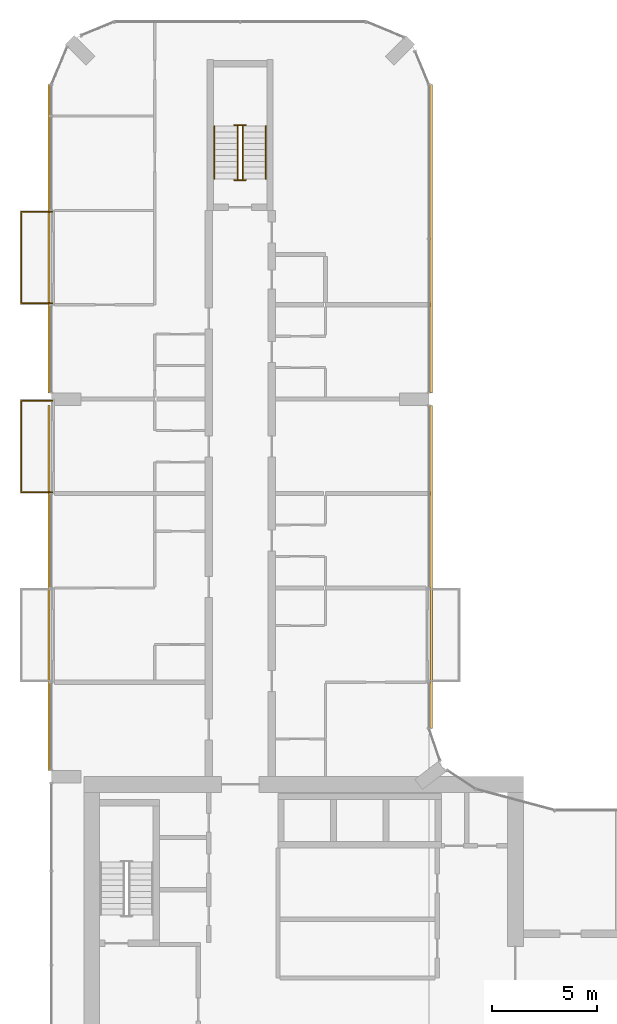
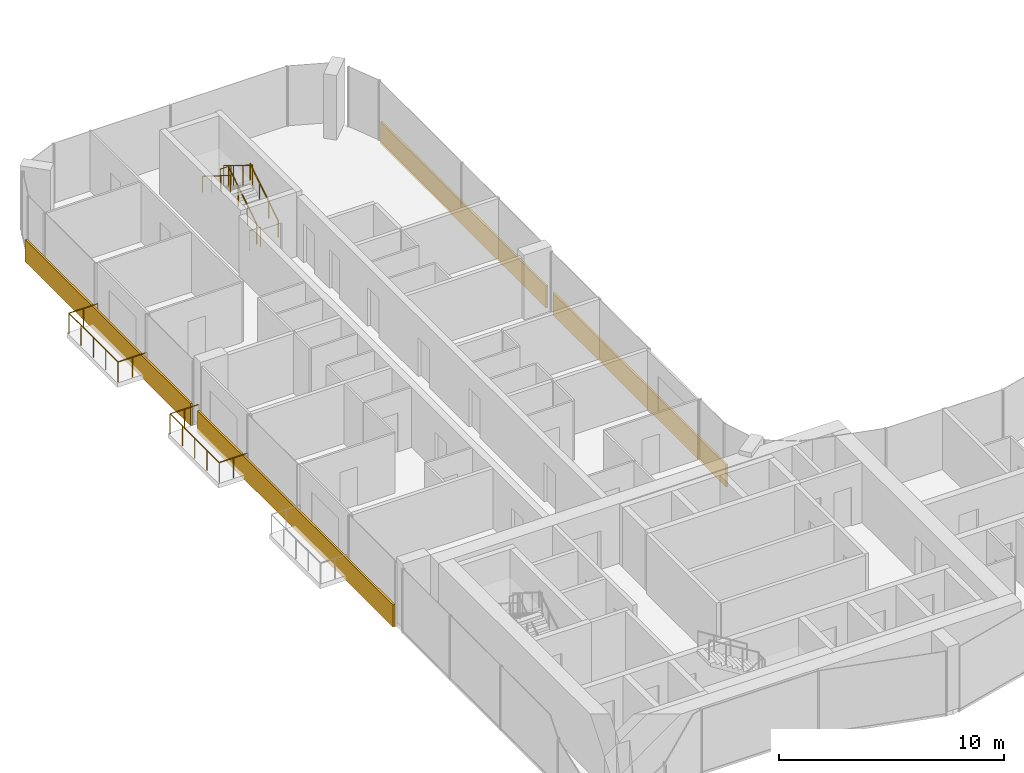
# One storey, part 21 of 22: 8 railings, 4 coverings.
"""IFC4 building model written with IfcOpenShell, lengths in metres."""

from ifc_helpers import new_model, si_unit, direction, frame, origin, origin_2d, place, context, subcontext, project, spatial, rectangle, circle, extrude, material, layer, layer_set, type_object, element, save


model = new_model("IFC4")

# Units and contexts
model_context = context("Model", 3, precision=1e-05, world=origin(), true_north=direction((0.0, 1.0)))
body_context = subcontext(model_context, "Body", "Model", "MODEL_VIEW")
ifc_project = project(units=[si_unit("LENGTHUNIT", "METRE"), si_unit("AREAUNIT", "SQUARE_METRE"), si_unit("VOLUMEUNIT", "CUBIC_METRE"), si_unit("PLANEANGLEUNIT", "RADIAN"), si_unit("MASSUNIT", "GRAM", prefix="KILO")], contexts=[model_context])

# Site, building, storey
site_placement = place(None, origin())
site = spatial("IfcSite", under=ifc_project, at=site_placement, CompositionType="ELEMENT")
building_placement = place(site_placement, origin())
building = spatial("IfcBuilding", under=site, at=building_placement, Name="Plateau Cross Towers", CompositionType="ELEMENT")
storey_placement = place(building_placement, frame((0.0, 0.0, 58.300048828125)))
storey = spatial("IfcBuildingStorey", under=building, at=storey_placement, Name="L14", CompositionType="ELEMENT", Elevation=58.300048828125)

# Railings
ifc_material_1 = material(Name="Stainless steel and toughened glass", Category="steel")
railing_type_1 = type_object("IfcRailingType", Name="Glass balustrade guard 1100", PredefinedType="GUARDRAIL", material=ifc_material_1)
for number, where, name in (
    (1, (0.050048828125, 31.570068359375, 0.0), "Guard guard1"),
    (2, (0.050048828125, 40.570068359375, 0.0), "Guard guard1"),
):
    element("IfcRailing", number, at=place(storey_placement, frame(where)), inside=storey, type_object=railing_type_1, Name=name, PredefinedType="GUARDRAIL", context=body_context, shape_type="SweptSolid", body=[
        extrude(circle(Radius=0.02392578125, at=origin_2d()), frame((0.0, 0.0, 1.076171875), z_axis=(-1.0, 0.0, 0.0), x_axis=(0.0, -1.0, 0.0)), (0.0, 0.0, 1.0), 1.47998046875),
        extrude(circle(Radius=0.02392578125, at=origin_2d()), frame((-1.47998046875, 0.0, 1.076171875), z_axis=(0.0, 1.0, 0.0), x_axis=(-1.0, 0.0, 0.0)), (0.0, 0.0, 1.0), 4.35986328125),
        extrude(circle(Radius=0.02392578125, at=origin_2d()), frame((-1.47998046875, 4.35986328125, 1.076171875), z_axis=(1.0, 0.0, 0.0), x_axis=(0.0, 1.0, 0.0)), (0.0, 0.0, 1.0), 1.47998046875),
        extrude(circle(Radius=0.02099609375, at=origin_2d()), origin(), (0.0, 0.0, 1.0), 1.052001953125),
        extrude(circle(Radius=0.02099609375, at=origin_2d()), frame((-0.739990234375, 0.0, 0.0)), (0.0, 0.0, 1.0), 1.052001953125),
        extrude(circle(Radius=0.02099609375, at=origin_2d()), frame((-1.47998046875, 0.0, 0.0)), (0.0, 0.0, 1.0), 1.052001953125),
        extrude(circle(Radius=0.02099609375, at=origin_2d()), frame((-1.47998046875, 1.08984375, 0.0)), (0.0, 0.0, 1.0), 1.052001953125),
        extrude(circle(Radius=0.02099609375, at=origin_2d()), frame((-1.47998046875, 2.179931640625, 0.0)), (0.0, 0.0, 1.0), 1.052001953125),
        extrude(circle(Radius=0.02099609375, at=origin_2d()), frame((-1.47998046875, 3.27001953125, 0.0)), (0.0, 0.0, 1.0), 1.052001953125),
        extrude(circle(Radius=0.02099609375, at=origin_2d()), frame((-1.47998046875, 4.35986328125, 0.0)), (0.0, 0.0, 1.0), 1.052001953125),
        extrude(circle(Radius=0.02099609375, at=origin_2d()), frame((-0.739990234375, 4.35986328125, 0.0)), (0.0, 0.0, 1.0), 1.052001953125),
        extrude(circle(Radius=0.02099609375, at=origin_2d()), frame((0.0, 4.35986328125, 0.0)), (0.0, 0.0, 1.0), 1.052001953125),
    ])
railing_type_2 = type_object("IfcRailingType", Name="RL-GUARD-1100", PredefinedType="GUARDRAIL", material=ifc_material_1)
railing_1_placement = place(storey_placement, frame((9.125, 46.5, 0.175048828125)))
element("IfcRailing", 3, at=railing_1_placement, inside=storey, type_object=railing_type_2, Name="L14 ES-N stair guard 1", PredefinedType="GUARDRAIL", context=body_context, shape_type="SweptSolid", body=[
    extrude(circle(Radius=0.02392578125, at=origin_2d()), frame((0.0, 0.0, 1.076171875), z_axis=(0.0, 0.848007534815, 0.529984170421), x_axis=(-1.0, 0.0, 0.0)), (0.0, 0.0, 1.0), 2.9716796875),
    extrude(circle(Radius=0.02099609375, at=origin_2d()), origin(), (0.0, 0.0, 1.0), 1.052001953125),
    extrude(circle(Radius=0.02099609375, at=origin_2d()), frame((0.0, 0.840087890625, 0.52490234375)), (0.0, 0.0, 1.0), 1.052001953125),
    extrude(circle(Radius=0.02099609375, at=origin_2d()), frame((0.0, 1.679931640625, 1.050048828125)), (0.0, 0.0, 1.0), 1.052001953125),
    extrude(circle(Radius=0.02099609375, at=origin_2d()), frame((0.0, 2.52001953125, 1.574951171875)), (0.0, 0.0, 1.0), 1.052001953125),
])
railing_2_placement = place(storey_placement, frame((9.27490234375, 49.070068359375, 1.75)))
element("IfcRailing", 4, at=railing_2_placement, inside=storey, type_object=railing_type_2, Name="L14 ES-N stair guard 2", PredefinedType="GUARDRAIL", context=body_context, shape_type="SweptSolid", body=[
    extrude(circle(Radius=0.02392578125, at=origin_2d()), frame((0.0, 0.0, 1.076171875), z_axis=(-1.0, 0.0, 0.0), x_axis=(0.0, -1.0, 0.0)), (0.0, 0.0, 1.0), 0.5498046875),
    extrude(circle(Radius=0.02099609375, at=origin_2d()), origin(), (0.0, 0.0, 1.0), 1.052001953125),
    extrude(circle(Radius=0.02099609375, at=origin_2d()), frame((-0.5498046875, 0.0, 0.0)), (0.0, 0.0, 1.0), 1.052001953125),
])
railing_3_placement = place(storey_placement, frame((8.875, 49.02001953125, 1.925048828125)))
element("IfcRailing", 5, at=railing_3_placement, inside=storey, type_object=railing_type_2, Name="L14 ES-N stair guard 3", PredefinedType="GUARDRAIL", context=body_context, shape_type="SweptSolid", body=[
    extrude(circle(Radius=0.02392578125, at=origin_2d()), frame((0.0, 0.0, 1.076171875), z_axis=(0.0, -0.852638500773, 0.522501279423), x_axis=(1.0, 0.0, 0.0)), (0.0, 0.0, 1.0), 3.01416015625),
    extrude(circle(Radius=0.02099609375, at=origin_2d()), origin(), (0.0, 0.0, 1.0), 1.052001953125),
    extrude(circle(Radius=0.02099609375, at=origin_2d()), frame((0.0, -0.856689453125, 0.52490234375)), (0.0, 0.0, 1.0), 1.052001953125),
    extrude(circle(Radius=0.02099609375, at=origin_2d()), frame((0.0, -1.71337890625, 1.050048828125)), (0.0, 0.0, 1.0), 1.052001953125),
    extrude(circle(Radius=0.02099609375, at=origin_2d()), frame((0.0, -2.570068359375, 1.574951171875)), (0.0, 0.0, 1.0), 1.052001953125),
])
railing_4_placement = place(storey_placement, frame((9.27490234375, 46.449951171875, 0.0)))
element("IfcRailing", 6, at=railing_4_placement, inside=storey, type_object=railing_type_2, Name="L14 ES-N stair guard 4", PredefinedType="GUARDRAIL", context=body_context, shape_type="SweptSolid", body=[
    extrude(circle(Radius=0.02392578125, at=origin_2d()), frame((0.0, 0.0, 1.076171875), z_axis=(-1.0, 0.0, 0.0), x_axis=(0.0, -1.0, 0.0)), (0.0, 0.0, 1.0), 0.5498046875),
    extrude(circle(Radius=0.02099609375, at=origin_2d()), origin(), (0.0, 0.0, 1.0), 1.052001953125),
    extrude(circle(Radius=0.02099609375, at=origin_2d()), frame((-0.5498046875, 0.0, 0.0)), (0.0, 0.0, 1.0), 1.052001953125),
])
ifc_material_2 = material(Name="Black anodised aluminium", Category="aluminium")
railing_type_3 = type_object("IfcRailingType", Name="RL-HANDRAIL-900", PredefinedType="HANDRAIL", material=ifc_material_2)
railing_5_placement = place(storey_placement, frame((10.22509765625, 46.5, 0.175048828125)))
element("IfcRailing", 7, at=railing_5_placement, inside=storey, type_object=railing_type_3, Name="L14 ES-N stair handrail 1", PredefinedType="HANDRAIL", context=body_context, shape_type="SweptSolid", body=[
    extrude(circle(Radius=0.02392578125, at=origin_2d()), frame((0.0, 0.0, 0.8759765625), z_axis=(0.0, 0.848007534815, 0.529984170421), x_axis=(-1.0, 0.0, 0.0)), (0.0, 0.0, 1.0), 2.9716796875),
    extrude(circle(Radius=0.02099609375, at=origin_2d()), origin(), (0.0, 0.0, 1.0), 0.851806640625),
    extrude(circle(Radius=0.02099609375, at=origin_2d()), frame((0.0, 0.840087890625, 0.52490234375)), (0.0, 0.0, 1.0), 0.851806640625),
    extrude(circle(Radius=0.02099609375, at=origin_2d()), frame((0.0, 1.679931640625, 1.050048828125)), (0.0, 0.0, 1.0), 0.851806640625),
    extrude(circle(Radius=0.02099609375, at=origin_2d()), frame((0.0, 2.52001953125, 1.574951171875)), (0.0, 0.0, 1.0), 0.851806640625),
])
railing_6_placement = place(storey_placement, frame((7.77490234375, 49.02001953125, 1.925048828125)))
element("IfcRailing", 8, at=railing_6_placement, inside=storey, type_object=railing_type_3, Name="L14 ES-N stair handrail 2", PredefinedType="HANDRAIL", context=body_context, shape_type="SweptSolid", body=[
    extrude(circle(Radius=0.02392578125, at=origin_2d()), frame((0.0, 0.0, 0.8759765625), z_axis=(0.0, -0.848007534815, 0.529984170421), x_axis=(1.0, 0.0, 0.0)), (0.0, 0.0, 1.0), 2.9716796875),
    extrude(circle(Radius=0.02099609375, at=origin_2d()), origin(), (0.0, 0.0, 1.0), 0.851806640625),
    extrude(circle(Radius=0.02099609375, at=origin_2d()), frame((0.0, -0.840087890625, 0.52490234375)), (0.0, 0.0, 1.0), 0.851806640625),
    extrude(circle(Radius=0.02099609375, at=origin_2d()), frame((0.0, -1.679931640625, 1.050048828125)), (0.0, 0.0, 1.0), 0.851806640625),
    extrude(circle(Radius=0.02099609375, at=origin_2d()), frame((0.0, -2.52001953125, 1.574951171875)), (0.0, 0.0, 1.0), 0.851806640625),
])

# Coverings
ifc_material_3 = material(Name="Precast concrete cladding C40/50", Category="concrete")
ifc_layer = layer(ifc_material_3, 0.10009765625)
ifc_layer_set = layer_set([ifc_layer], Name="Precast concrete cladding C40/50")
covering_type = type_object("IfcCoveringType", Name="Spandrel band cladding 100x1200", PredefinedType="CLADDING", material=ifc_layer_set)
covering_1_placement = place(storey_placement, frame((18.1201171875, 28.001220703125, -0.25), z_axis=(0.0, 0.0, 1.0), x_axis=(0.0, 1.0, 0.0)))
element("IfcCovering", 9, at=covering_1_placement, inside=storey, type_object=covering_type, Name="Spandrel band", PredefinedType="CLADDING", context=body_context, shape_type="SweptSolid", body=[
    extrude(rectangle(XDim=15.397705078125, YDim=0.10009765625, at=origin_2d()), origin(), (0.0, 0.0, 1.0), 1.199951171875),
])
for number, where, z_axis, x_axis, name in (
    (10, (18.1201171875, 43.64990234375, -0.25), (0.0, 0.0, 1.0), (0.0, 1.0, 0.0), "Spandrel band"),
    (11, (-0.1201171875, 43.64990234375, -0.25), (0.0, 0.0, 1.0), (0.0, -1.0, 0.0), "Spandrel band"),
):
    element("IfcCovering", number, at=place(storey_placement, frame(where, z_axis=z_axis, x_axis=x_axis)), inside=storey, type_object=covering_type, Name=name, PredefinedType="CLADDING", context=body_context, shape_type="SweptSolid", body=[
        extrude(rectangle(XDim=14.699951171875, YDim=0.10009765625, at=origin_2d()), origin(), (0.0, 0.0, 1.0), 1.199951171875),
    ])
covering_2_placement = place(storey_placement, frame((-0.1201171875, 27.0, -0.25), z_axis=(0.0, 0.0, 1.0), x_axis=(0.0, -1.0, 0.0)))
element("IfcCovering", 12, at=covering_2_placement, inside=storey, type_object=covering_type, Name="Spandrel band", PredefinedType="CLADDING", context=body_context, shape_type="SweptSolid", body=[
    extrude(rectangle(XDim=17.39990234375, YDim=0.10009765625, at=origin_2d()), origin(), (0.0, 0.0, 1.0), 1.199951171875),
])

save(model, "model.ifc")
